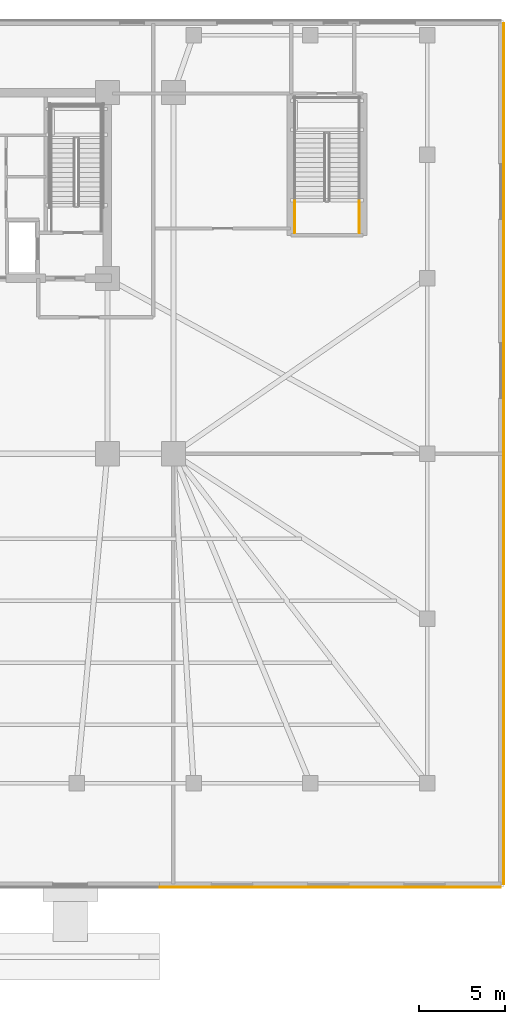
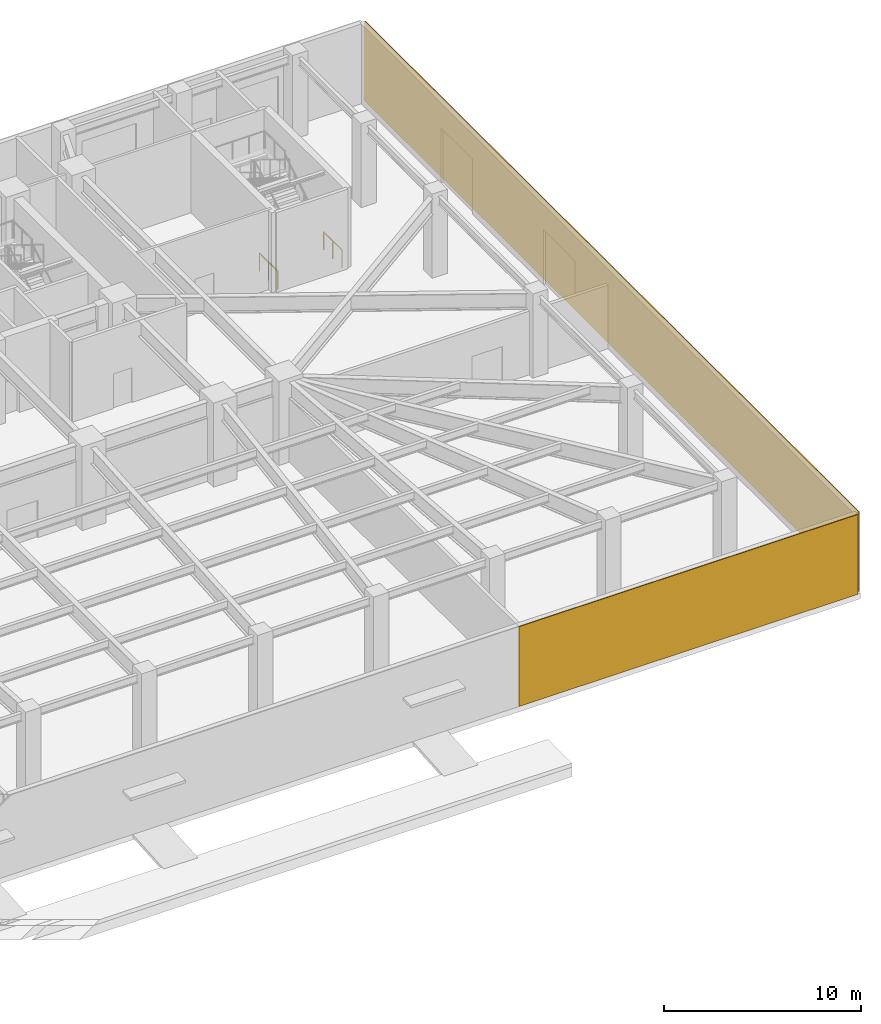
# One storey, part 13 of 15: 2 coverings, 2 railings.
"""IFC4 building model written with IfcOpenShell, lengths in metres."""

from ifc_helpers import new_model, si_unit, direction, frame, frame_2d, origin, origin_2d, place, context, subcontext, project, spatial, rectangle, circle, extrude, material, layer, layer_set, type_object, element, save


model = new_model("IFC4")

# Units and contexts
model_context = context("Model", 3, precision=1e-05, world=origin(), true_north=direction((0.0, 1.0)))
body_context = subcontext(model_context, "Body", "Model", "MODEL_VIEW")
ifc_project = project(units=[si_unit("LENGTHUNIT", "METRE"), si_unit("AREAUNIT", "SQUARE_METRE"), si_unit("VOLUMEUNIT", "CUBIC_METRE"), si_unit("PLANEANGLEUNIT", "RADIAN"), si_unit("MASSUNIT", "GRAM", prefix="KILO")], contexts=[model_context])

# Site, building, storey
site_placement = place(None, origin())
site = spatial("IfcSite", under=ifc_project, at=site_placement, CompositionType="ELEMENT")
building_placement = place(site_placement, origin())
building = spatial("IfcBuilding", under=site, at=building_placement, Name="Yelkora Congress Tower", CompositionType="ELEMENT")
storey_placement = place(building_placement, origin())
storey = spatial("IfcBuildingStorey", under=building, at=storey_placement, Name="L00", CompositionType="ELEMENT", Elevation=0.0)

# Coverings
ifc_material_1 = material(Name="Anatolian honed limestone ashlar", Category="masonry")
ifc_layer_1 = layer(ifc_material_1, 0.050048828125)
ifc_layer_set_1 = layer_set([ifc_layer_1], Name="Anatolian honed limestone ashlar")
covering_type = type_object("IfcCoveringType", Name="COV-CLAD-LIMESTONE-50", PredefinedType="CLADDING", material=ifc_layer_set_1)
covering_1_placement = place(storey_placement, frame((76.800048828125, 50.239990234375, 0.0), z_axis=(0.0, 0.0, 1.0), x_axis=(0.0, -1.0, 0.0)))
element("IfcCovering", 1, at=covering_1_placement, inside=storey, type_object=covering_type, Name="L00 Anatolian Limestone Cladding EW-L00-E03", PredefinedType="CLADDING", context=body_context, shape_type="SweptSolid", body=[
    extrude(rectangle(XDim=50.080078125, YDim=0.050048828125, at=frame_2d((25.0400390625, 0.0))), origin(), (0.0, 0.0, 1.0), 4.93994140625),
])
covering_2_placement = place(storey_placement, frame((56.800048828125, 0.0, 0.0), z_axis=(0.0, 0.0, 1.0), x_axis=(1.0, 0.0, 0.0)))
element("IfcCovering", 2, at=covering_2_placement, inside=storey, type_object=covering_type, Name="L00 Anatolian Limestone Cladding EW-L00-S-E", PredefinedType="CLADDING", context=body_context, shape_type="SweptSolid", body=[
    extrude(rectangle(XDim=19.83984375, YDim=0.050048828125, at=frame_2d((9.919921875, 0.0))), origin(), (0.0, 0.0, 1.0), 4.93994140625),
])

# Railings
ifc_material_2 = material(Name="Painted galvanised steel stair well guard with vertical infill", Category="steel")
ifc_layer_2 = layer(ifc_material_2, 0.06005859375)
ifc_layer_set_2 = layer_set([ifc_layer_2], Name="Painted galvanised steel stair well guard with vertical infill")
railing_type = type_object("IfcRailingType", Name="RAIL-STAIR-GUARD-1120", PredefinedType="GUARDRAIL", material=ifc_layer_set_2)
for number, where, name in (
    (3, (68.409912109375, 38.050048828125, 0.0), "ST-P2 L00 Stair Well Guardrail 8"),
    (4, (64.64990234375, 38.050048828125, 0.0), "ST-P2 L00 Stair Well Guardrail 9"),
):
    element("IfcRailing", number, at=place(storey_placement, frame(where)), inside=storey, type_object=railing_type, Name=name, PredefinedType="GUARDRAIL", context=body_context, shape_type="SweptSolid", body=[
        extrude(circle(Radius=0.02392578125, at=origin_2d()), frame((0.0, 0.0, 1.09619140625), z_axis=(0.0, 1.0, 0.0), x_axis=(-1.0, 0.0, 0.0)), (0.0, 0.0, 1.0), 1.849853515625),
        extrude(circle(Radius=0.02099609375, at=origin_2d()), origin(), (0.0, 0.0, 1.0), 1.072021484375),
        extrude(circle(Radius=0.02099609375, at=origin_2d()), frame((0.0, 0.9248046875, 0.0)), (0.0, 0.0, 1.0), 1.072021484375),
        extrude(circle(Radius=0.02099609375, at=origin_2d()), frame((0.0, 1.849853515625, 0.0)), (0.0, 0.0, 1.0), 1.072021484375),
    ])

save(model, "model.ifc")
